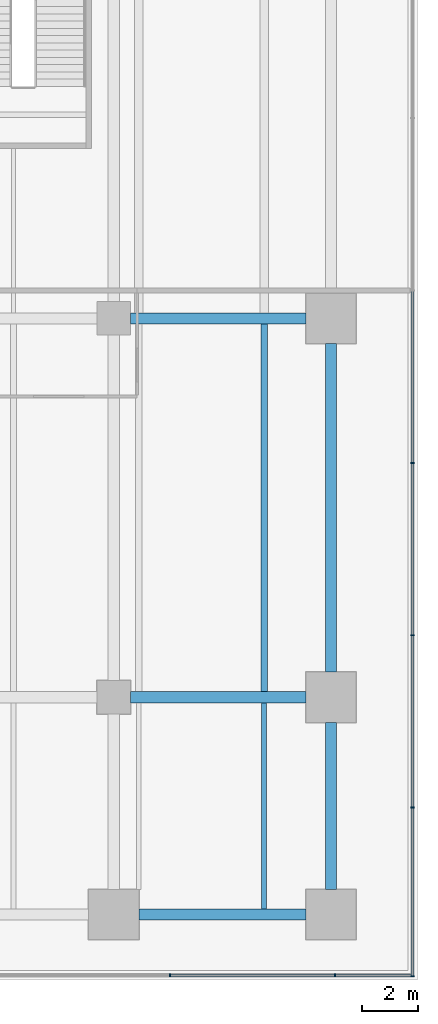
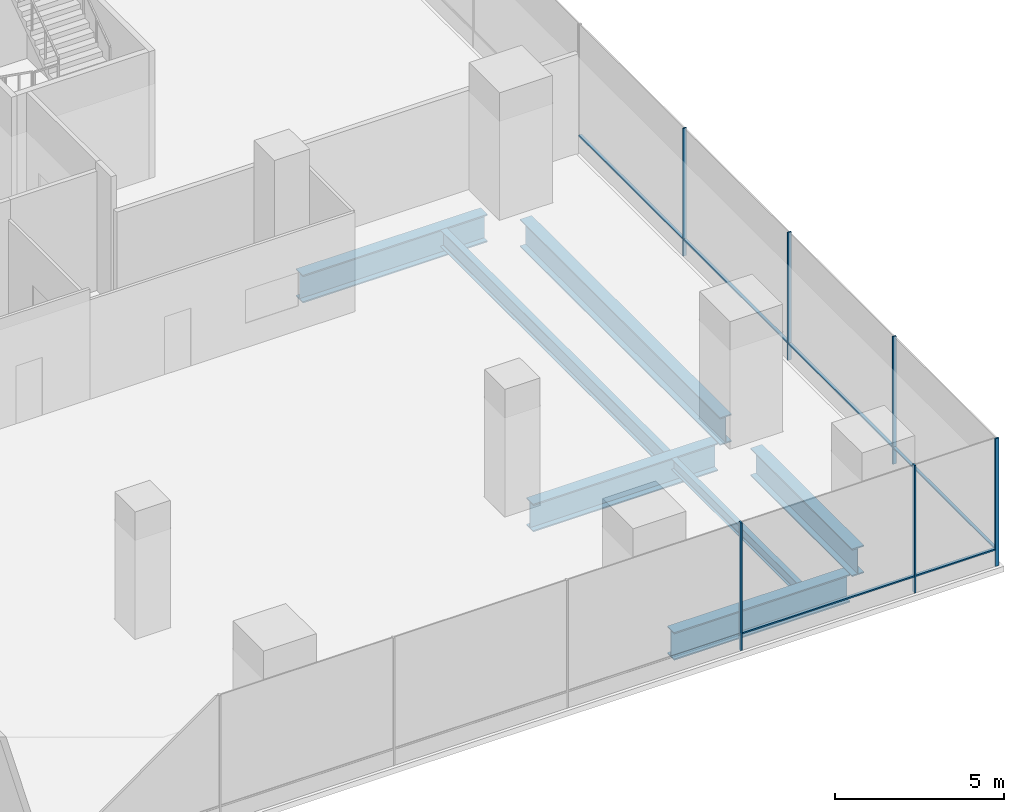
# One storey, part 15 of 29: 12 members, 7 beams, 2 elements without a shape of their own.
"""IFC4 building model written with IfcOpenShell, lengths in metres."""

import ifcopenshell
import ifcopenshell.guid

model = None  # the IFC model being written
_history = None  # IfcOwnerHistory: only IFC2X3 demands one
_inside = {}  # id of a spatial element -> (the spatial element, [elements in it])
_under = {}  # id of a project, library or spatial element -> (it, [spatial elements below it])
_declared = {}  # id of a project -> (the project, [libraries it declares])
_typed = {}  # id of a type object -> (the type object, [elements of that type])
_made_of = {}  # id of a material, layer set ... -> (it, [elements and type objects made of it])


def new_model(schema):
    """Start an empty IFC model of exactly this schema.

    Asked for "IFC4X3", IfcOpenShell would pick the latest addendum, in which some entities
    have other attributes; the version numbers below select the first issue.
    IFC2X3 requires an IfcOwnerHistory on every rooted entity: one is made here for all.
    """
    global model, _history
    if schema == "IFC4X3":
        model = ifcopenshell.file(schema_version=(4, 3, 0, 0))
    else:
        model = ifcopenshell.file(schema=schema)
    _inside.clear()
    _under.clear()
    _declared.clear()
    _typed.clear()
    _made_of.clear()
    _history = None
    if model.schema == "IFC2X3":
        org = make("IfcOrganization", Name="unknown")
        user = make(
            "IfcPersonAndOrganization",
            ThePerson=make("IfcPerson", FamilyName="unknown"),
            TheOrganization=org,
        )
        app = make(
            "IfcApplication",
            ApplicationDeveloper=org,
            Version="unknown",
            ApplicationFullName="unknown",
            ApplicationIdentifier="unknown",
        )
        _history = make(
            "IfcOwnerHistory",
            OwningUser=user,
            OwningApplication=app,
            ChangeAction="ADDED",
            CreationDate=0,
        )
    return model


def make(cls, **values):
    """One entity of the class cls with the attributes given. An attribute that is None is left unset."""
    return model.create_entity(
        cls, **{name: value for name, value in values.items() if value is not None}
    )


def rooted(cls, **values):
    """An entity with a GlobalId (a new one), such as an element, a storey or a relation."""
    return make(cls, GlobalId=ifcopenshell.guid.new(), OwnerHistory=_history, **values)


def si_unit(unit_type, name, prefix=None):
    """IfcSIUnit, for example si_unit("LENGTHUNIT", "METRE", prefix="MILLI")."""
    return make("IfcSIUnit", UnitType=unit_type, Prefix=prefix, Name=name)


def assignment(units):
    """IfcUnitAssignment: the units of a project."""
    return None if units is None else make("IfcUnitAssignment", Units=units)


def point(xyz):
    """IfcCartesianPoint."""
    return None if xyz is None else make("IfcCartesianPoint", Coordinates=xyz)


def direction(xyz):
    """IfcDirection."""
    return None if xyz is None else make("IfcDirection", DirectionRatios=xyz)


def frame(location, z_axis=None, x_axis=None):
    """IfcAxis2Placement3D, a coordinate frame: its origin and axes. An axis left out is left unset."""
    return make(
        "IfcAxis2Placement3D",
        Location=point(location),
        Axis=direction(z_axis),
        RefDirection=direction(x_axis),
    )


def frame_2d(location, x_axis=None):
    """IfcAxis2Placement2D, a coordinate frame in the plane: its origin and x axis."""
    return make(
        "IfcAxis2Placement2D", Location=point(location), RefDirection=direction(x_axis)
    )


def origin():
    """The frame at (0, 0, 0) with its axes left unset."""
    return frame((0.0, 0.0, 0.0))


def origin_2d():
    """The frame at (0, 0) in the plane with its x axis left unset."""
    return frame_2d((0.0, 0.0))


def place(relative_to, where):
    """IfcLocalPlacement: puts the frame where relative to a parent placement (None: the world)."""
    return make(
        "IfcLocalPlacement", PlacementRelTo=relative_to, RelativePlacement=where
    )


def context(
    kind, dimensions, precision=None, world=None, true_north=None, identifier=None
):
    """IfcGeometricRepresentationContext, for example the 3D "Model" context."""
    return make(
        "IfcGeometricRepresentationContext",
        ContextIdentifier=identifier,
        ContextType=kind,
        CoordinateSpaceDimension=dimensions,
        Precision=precision,
        WorldCoordinateSystem=world,
        TrueNorth=true_north,
    )


def subcontext(parent, identifier, kind, view, scale=None):
    """IfcGeometricRepresentationSubContext, for example "Body" below "Model"."""
    return make(
        "IfcGeometricRepresentationSubContext",
        ContextIdentifier=identifier,
        ContextType=kind,
        ParentContext=parent,
        TargetScale=scale,
        TargetView=view,
    )


def project(units=None, contexts=None):
    """IfcProject with its units and contexts."""
    return rooted(
        "IfcProject",
        Name="project",
        RepresentationContexts=contexts,
        UnitsInContext=assignment(units),
    )


def spatial(cls, under=None, at=None, **own):
    """A site, building, storey or space (cls), placed at a placement, below another one or the project."""
    s = rooted(cls, ObjectPlacement=at, **own)
    if under is not None:
        _under.setdefault(under.id(), (under, []))[1].append(s)
    return s


def profile(cls, at=None, kind="AREA", **sizes):
    """A parametric profile (cls). Its sizes go by their IFC names, for example OverallWidth=200.0."""
    return make(cls, ProfileType=kind, Position=at, **sizes)


def rectangle(**sizes):
    """IfcRectangleProfileDef."""
    return profile("IfcRectangleProfileDef", **sizes)


def i_section(**sizes):
    """IfcIShapeProfileDef."""
    return profile("IfcIShapeProfileDef", **sizes)


def extrude(swept, where, along, depth):
    """IfcExtrudedAreaSolid: the profile swept, set in the frame where, extruded along a direction by depth."""
    return make(
        "IfcExtrudedAreaSolid",
        SweptArea=swept,
        Position=where,
        ExtrudedDirection=direction(along),
        Depth=depth,
    )


def shape(context_of_items, identifier, shape_type, items):
    """IfcShapeRepresentation: the items that make up one representation, for example the "Body"."""
    return make(
        "IfcShapeRepresentation",
        ContextOfItems=context_of_items,
        RepresentationIdentifier=identifier,
        RepresentationType=shape_type,
        Items=items,
    )


def material(Name=None, Category=None):
    """IfcMaterial."""
    return make("IfcMaterial", Name=Name, Category=Category)


def layer(
    of_material, thickness, ventilated=None, Name=None, Category=None, Priority=None
):
    """IfcMaterialLayer: one layer of a wall or slab, of a material (None: an air gap)."""
    return make(
        "IfcMaterialLayer",
        Material=of_material,
        LayerThickness=thickness,
        IsVentilated=ventilated,
        Name=Name,
        Category=Category,
        Priority=Priority,
    )


def layer_set(layers, Name=None):
    """IfcMaterialLayerSet."""
    return make("IfcMaterialLayerSet", MaterialLayers=layers, LayerSetName=Name)


def material_profile(
    of_material, cross_section, Name=None, Category=None, Priority=None
):
    """IfcMaterialProfile: a cross section and its material."""
    return make(
        "IfcMaterialProfile",
        Name=Name,
        Material=of_material,
        Profile=cross_section,
        Priority=Priority,
        Category=Category,
    )


def profile_set(profiles, Name=None, composite=None):
    """IfcMaterialProfileSet."""
    return make(
        "IfcMaterialProfileSet",
        Name=Name,
        MaterialProfiles=profiles,
        CompositeProfile=composite,
    )


def made_of(thing, what):
    """Note that an element or type object is made of a material, layer set ...; save() writes the relation."""
    if what is not None:
        _made_of.setdefault(what.id(), (what, []))[1].append(thing)
    return thing


def type_object(cls, material=None, **own):
    """A type object (cls), such as IfcWallType, which elements share."""
    return made_of(rooted(cls, **own), material)


def element(
    cls,
    number,
    at=None,
    inside=None,
    cuts=None,
    type_object=None,
    material=None,
    context=None,
    identifier="Body",
    shape_type=None,
    held_by="IfcProductDefinitionShape",
    body=None,
    shapes=None,
    **own,
):
    """One element of the class cls, such as IfcWall. Its Tag is "e" and its number.

    at: its placement. inside: the storey or other place that contains it. cuts: it is an
    opening in that element (IfcRelVoidsElement). A single representation is given by context,
    identifier, shape_type and body (its items); several are given by shapes. held_by: the class
    of the entity that holds the representations. save() writes the other relations.
    """
    e = rooted(cls, Tag="e%d" % number, ObjectPlacement=at, **own)
    if body is not None:
        shapes = [shape(context, identifier, shape_type, body)]
    if shapes is not None:
        e.Representation = make(held_by, Representations=shapes)
    if inside is not None:
        _inside.setdefault(inside.id(), (inside, []))[1].append(e)
    if cuts is not None:
        rooted(
            "IfcRelVoidsElement", RelatingBuildingElement=cuts, RelatedOpeningElement=e
        )
    if type_object is not None:
        _typed.setdefault(type_object.id(), (type_object, []))[1].append(e)
    return made_of(e, material)


def aggregate(whole, parts):
    """IfcRelAggregates: a whole, such as a stair, and the parts it consists of."""
    return rooted("IfcRelAggregates", RelatingObject=whole, RelatedObjects=parts)


def save(model, path):
    """Write the relations noted so far, then the file.

    IfcRelAggregates (storeys below a building ...), IfcRelContainedInSpatialStructure (elements
    in a storey), IfcRelDefinesByType, IfcRelAssociatesMaterial and IfcRelDeclares: one each for
    every whole, place, type object, material and project.
    """
    for whole, parts in _under.values():
        aggregate(whole, parts)
    for where, things in _inside.values():
        rooted(
            "IfcRelContainedInSpatialStructure",
            RelatedElements=things,
            RelatingStructure=where,
        )
    for kind, things in _typed.values():
        rooted("IfcRelDefinesByType", RelatedObjects=things, RelatingType=kind)
    for what, things in _made_of.values():
        rooted("IfcRelAssociatesMaterial", RelatedObjects=things, RelatingMaterial=what)
    for by, libraries in _declared.values():
        rooted("IfcRelDeclares", RelatingContext=by, RelatedDefinitions=libraries)
    model.write(path)


model = new_model("IFC4")

# Units and contexts
model_context = context("Model", 3, precision=1e-05, world=origin(), true_north=direction((0.0, 1.0)))
body_context = subcontext(model_context, "Body", "Model", "MODEL_VIEW")
ifc_project = project(units=[si_unit("LENGTHUNIT", "METRE"), si_unit("AREAUNIT", "SQUARE_METRE"), si_unit("VOLUMEUNIT", "CUBIC_METRE"), si_unit("PLANEANGLEUNIT", "RADIAN"), si_unit("MASSUNIT", "GRAM", prefix="KILO")], contexts=[model_context])

# Site, building, storey
site_placement = place(None, origin())
site = spatial("IfcSite", under=ifc_project, at=site_placement, CompositionType="ELEMENT")
building_placement = place(site_placement, origin())
building = spatial("IfcBuilding", under=site, at=building_placement, Name="Rattan Terrace Tower", CompositionType="ELEMENT")
storey_placement = place(building_placement, frame((0.0, 0.0, 12.60009765625)))
storey = spatial("IfcBuildingStorey", under=building, at=storey_placement, Name="L02", CompositionType="ELEMENT", Elevation=12.60009765625)

# Beams
ifc_material_1 = material(Name="Steel S355", Category="steel")
ifc_material_profile_1 = material_profile(ifc_material_1, i_section(OverallWidth=0.179931640625, OverallDepth=0.39990234375, WebThickness=0.008544921875, FlangeThickness=0.013427734375, FilletRadius=0.02099609375, at=origin_2d()), Name="IPE 400")
ifc_profile_set_1 = profile_set([ifc_material_profile_1], Name="Steel S355")
beam_type_1 = type_object("IfcBeamType", Name="Frame floor beam IPE 400", PredefinedType="JOIST", material=ifc_profile_set_1)
beam_1_placement = place(storey_placement, frame((31.5, -34.699951171875, -0.400146484375), z_axis=(0.0, 1.0, 0.0), x_axis=(-1.0, 0.0, 0.0)))
element("IfcBeam", 1, at=beam_1_placement, inside=storey, type_object=beam_type_1, Name="bm-L02-012", PredefinedType="JOIST", context=body_context, shape_type="SweptSolid", body=[
    extrude(i_section(OverallWidth=0.179931640625, OverallDepth=0.39990234375, WebThickness=0.008544921875, FlangeThickness=0.013427734375, FilletRadius=0.02099609375, at=origin_2d()), origin(), (0.0, 0.0, 1.0), 7.39990234375),
])
ifc_material_2 = material(Name="Steel S355", Category="steel")
ifc_material_profile_2 = material_profile(ifc_material_2, i_section(OverallWidth=0.22412109375, OverallDepth=0.610107421875, WebThickness=0.014892578125, FlangeThickness=0.02392578125, FilletRadius=0.02392578125, at=origin_2d()), Name="IPE O 600")
ifc_profile_set_2 = profile_set([ifc_material_profile_2], Name="Steel S355")
beam_type_2 = type_object("IfcBeamType", Name="Frame floor beam IPE O 600", PredefinedType="JOIST", material=ifc_profile_set_2)
beam_2_placement = place(storey_placement, frame((31.5, -26.89990234375, -0.505126953125), z_axis=(0.0, 1.0, 0.0), x_axis=(-1.0, 0.0, 0.0)))
element("IfcBeam", 2, at=beam_2_placement, inside=storey, type_object=beam_type_2, Name="bm-L02-026", PredefinedType="JOIST", context=body_context, shape_type="SweptSolid", body=[
    extrude(i_section(OverallWidth=0.22412109375, OverallDepth=0.610107421875, WebThickness=0.014892578125, FlangeThickness=0.02392578125, FilletRadius=0.02392578125, at=origin_2d()), origin(), (0.0, 0.0, 1.0), 13.199951171875),
])
ifc_material_3 = material(Name="Steel S460", Category="steel")
ifc_material_profile_3 = material_profile(ifc_material_3, i_section(OverallWidth=0.39990234375, OverallDepth=1.0, WebThickness=0.01806640625, FlangeThickness=0.044921875, at=origin_2d()), Name="PG 1000x400-18-45")
ifc_profile_set_3 = profile_set([ifc_material_profile_3], Name="Steel S460")
beam_type_3 = type_object("IfcBeamType", Name="Frame podium girder PG 1000x400-18-45", PredefinedType="USERDEFINED", material=ifc_profile_set_3)
for number, where, z_axis, x_axis, name in (
    (3, (27.0, -34.89990234375, -0.7001953125), (1.0, 0.0, 0.0), (0.0, 1.0, 0.0), "gdr-L02-006"),
    (4, (33.89990234375, -34.0, -0.7001953125), (0.0, 1.0, 0.0), (-1.0, 0.0, 0.0), "gdr-L02-013"),
):
    element("IfcBeam", number, at=place(storey_placement, frame(where, z_axis=z_axis, x_axis=x_axis)), inside=storey, type_object=beam_type_3, Name=name, ObjectType="PODIUM GIRDER", PredefinedType="USERDEFINED", context=body_context, shape_type="SweptSolid", body=[
        extrude(i_section(OverallWidth=0.39990234375, OverallDepth=1.0, WebThickness=0.01806640625, FlangeThickness=0.044921875, at=origin_2d()), origin(), (0.0, 0.0, 1.0), 6.0),
    ])
beam_3_placement = place(storey_placement, frame((26.699951171875, -27.10009765625, -0.7001953125), z_axis=(1.0, 0.0, 0.0), x_axis=(0.0, 1.0, 0.0)))
element("IfcBeam", 5, at=beam_3_placement, inside=storey, type_object=beam_type_3, Name="gdr-L02-019", ObjectType="PODIUM GIRDER", PredefinedType="USERDEFINED", context=body_context, shape_type="SweptSolid", body=[
    extrude(i_section(OverallWidth=0.39990234375, OverallDepth=1.0, WebThickness=0.01806640625, FlangeThickness=0.044921875, at=origin_2d()), origin(), (0.0, 0.0, 1.0), 6.300048828125),
])
beam_4_placement = place(storey_placement, frame((33.89990234375, -26.199951171875, -0.7001953125), z_axis=(0.0, 1.0, 0.0), x_axis=(-1.0, 0.0, 0.0)))
element("IfcBeam", 6, at=beam_4_placement, inside=storey, type_object=beam_type_3, Name="gdr-L02-026", ObjectType="PODIUM GIRDER", PredefinedType="USERDEFINED", context=body_context, shape_type="SweptSolid", body=[
    extrude(i_section(OverallWidth=0.39990234375, OverallDepth=1.0, WebThickness=0.01806640625, FlangeThickness=0.044921875, at=origin_2d()), origin(), (0.0, 0.0, 1.0), 11.800048828125),
])
beam_5_placement = place(storey_placement, frame((26.699951171875, -13.5, -0.7001953125), z_axis=(1.0, 0.0, 0.0), x_axis=(0.0, 1.0, 0.0)))
element("IfcBeam", 7, at=beam_5_placement, inside=storey, type_object=beam_type_3, Name="gdr-L02-032", ObjectType="PODIUM GIRDER", PredefinedType="USERDEFINED", context=body_context, shape_type="SweptSolid", body=[
    extrude(i_section(OverallWidth=0.39990234375, OverallDepth=1.0, WebThickness=0.01806640625, FlangeThickness=0.044921875, at=origin_2d()), origin(), (0.0, 0.0, 1.0), 6.300048828125),
])

# Curtain wall, members
ifc_material_4 = material(Name="Aluminium and glass", Category="aluminium")
ifc_layer = layer(ifc_material_4, 0.1201171875)
ifc_layer_set = layer_set([ifc_layer], Name="Station Storefront Curtain Wall")
curtain_wall_type = type_object("IfcCurtainWallType", Name="Station Storefront Curtain Wall", PredefinedType="NOTDEFINED", material=ifc_layer_set)
curtain_wall_1_placement = place(storey_placement, origin())
curtain_wall_1 = element("IfcCurtainWall", 8, at=curtain_wall_1_placement, inside=storey, type_object=curtain_wall_type, Name="Storefront curtain wall L02-1", PredefinedType="NOTDEFINED")
ifc_material_5 = material(Name="Aluminium", Category="aluminium")
ifc_material_profile_4 = material_profile(ifc_material_5, rectangle(XDim=0.050048828125, YDim=0.1201171875, at=origin_2d()), Name="Aluminium 50x120")
ifc_profile_set_4 = profile_set([ifc_material_profile_4], Name="Aluminium")
member_type_1 = type_object("IfcMemberType", Name="Storefront CW Mullion 50x120", PredefinedType="MULLION", material=ifc_profile_set_4)
member_1_placement = place(storey_placement, frame((36.830078125, -37.114990234375, 0.0), z_axis=(0.0, 0.0, 1.0), x_axis=(0.0, 1.0, 0.0)))
member_1 = element("IfcMember", 9, at=member_1_placement, type_object=member_type_1, Name="Mullion cwl-L02-001.1", PredefinedType="MULLION", context=body_context, shape_type="SweptSolid", body=[
    extrude(rectangle(XDim=0.050048828125, YDim=0.1201171875, at=origin_2d()), origin(), (0.0, 0.0, 1.0), 4.599853515625),
])
member_2_placement = place(storey_placement, frame((36.830078125, -31.06201171875, 0.0), z_axis=(0.0, 0.0, 1.0), x_axis=(0.0, 1.0, 0.0)))
member_2 = element("IfcMember", 10, at=member_2_placement, type_object=member_type_1, Name="Mullion cwl-L02-001.2", PredefinedType="MULLION", context=body_context, shape_type="SweptSolid", body=[
    extrude(rectangle(XDim=0.050048828125, YDim=0.1201171875, at=origin_2d()), origin(), (0.0, 0.0, 1.0), 4.599853515625),
])
member_3_placement = place(storey_placement, frame((36.830078125, -24.8740234375, 0.0), z_axis=(0.0, 0.0, 1.0), x_axis=(0.0, 1.0, 0.0)))
member_3 = element("IfcMember", 11, at=member_3_placement, type_object=member_type_1, Name="Mullion cwl-L02-001.3", PredefinedType="MULLION", context=body_context, shape_type="SweptSolid", body=[
    extrude(rectangle(XDim=0.050048828125, YDim=0.1201171875, at=origin_2d()), origin(), (0.0, 0.0, 1.0), 4.599853515625),
])
member_4_placement = place(storey_placement, frame((36.830078125, -18.68603515625, 0.0), z_axis=(0.0, 0.0, 1.0), x_axis=(0.0, 1.0, 0.0)))
member_4 = element("IfcMember", 12, at=member_4_placement, type_object=member_type_1, Name="Mullion cwl-L02-001.4", PredefinedType="MULLION", context=body_context, shape_type="SweptSolid", body=[
    extrude(rectangle(XDim=0.050048828125, YDim=0.1201171875, at=origin_2d()), origin(), (0.0, 0.0, 1.0), 4.599853515625),
])

curtain_wall_2_placement = place(storey_placement, origin())
curtain_wall_2 = element("IfcCurtainWall", 13, at=curtain_wall_2_placement, inside=storey, type_object=curtain_wall_type, Name="Storefront curtain wall L02-4", PredefinedType="NOTDEFINED")
member_5_placement = place(storey_placement, frame((28.1201171875, -37.080078125, 0.0), z_axis=(0.0, 0.0, 1.0), x_axis=(1.0, 0.0, 0.0)))
member_5 = element("IfcMember", 14, at=member_5_placement, type_object=member_type_1, Name="Mullion cwl-L02-004.12", PredefinedType="MULLION", context=body_context, shape_type="SweptSolid", body=[
    extrude(rectangle(XDim=0.050048828125, YDim=0.1201171875, at=origin_2d()), origin(), (0.0, 0.0, 1.0), 4.599853515625),
])
member_6_placement = place(storey_placement, frame((34.0400390625, -37.080078125, 0.0), z_axis=(0.0, 0.0, 1.0), x_axis=(1.0, 0.0, 0.0)))
member_6 = element("IfcMember", 15, at=member_6_placement, type_object=member_type_1, Name="Mullion cwl-L02-004.13", PredefinedType="MULLION", context=body_context, shape_type="SweptSolid", body=[
    extrude(rectangle(XDim=0.050048828125, YDim=0.1201171875, at=origin_2d()), origin(), (0.0, 0.0, 1.0), 4.599853515625),
])

# Member
ifc_material_6 = material(Name="Aluminium", Category="aluminium")
ifc_material_profile_5 = material_profile(ifc_material_6, rectangle(XDim=0.10009765625, YDim=0.050048828125, at=origin_2d()), Name="Aluminium 100x50")
ifc_profile_set_5 = profile_set([ifc_material_profile_5], Name="Aluminium")
member_type_2 = type_object("IfcMemberType", Name="Storefront CW Transom 100x50", PredefinedType="USERDEFINED", material=ifc_profile_set_5)
member_7_placement = place(storey_placement, frame((36.830078125, -37.090087890625, 0.599853515625), z_axis=(0.0, 1.0, 0.0), x_axis=(-1.0, 0.0, 0.0)))
member_7 = element("IfcMember", 16, at=member_7_placement, type_object=member_type_2, Name="Transom cwl-L02-001.1", ObjectType="TRANSOM", PredefinedType="USERDEFINED", context=body_context, shape_type="SweptSolid", body=[
    extrude(rectangle(XDim=0.10009765625, YDim=0.050048828125, at=origin_2d()), origin(), (0.0, 0.0, 1.0), 6.003173828125),
])

member_8_placement = place(storey_placement, frame((36.830078125, -31.037109375, 0.599853515625), z_axis=(0.0, 1.0, 0.0), x_axis=(-1.0, 0.0, 0.0)))
member_8 = element("IfcMember", 17, at=member_8_placement, type_object=member_type_2, Name="Transom cwl-L02-001.2", ObjectType="TRANSOM", PredefinedType="USERDEFINED", context=body_context, shape_type="SweptSolid", body=[
    extrude(rectangle(XDim=0.10009765625, YDim=0.050048828125, at=origin_2d()), origin(), (0.0, 0.0, 1.0), 6.13818359375),
])

member_9_placement = place(storey_placement, frame((36.830078125, -24.84912109375, 0.599853515625), z_axis=(0.0, 1.0, 0.0), x_axis=(-1.0, 0.0, 0.0)))
member_9 = element("IfcMember", 18, at=member_9_placement, type_object=member_type_2, Name="Transom cwl-L02-001.3", ObjectType="TRANSOM", PredefinedType="USERDEFINED", context=body_context, shape_type="SweptSolid", body=[
    extrude(rectangle(XDim=0.10009765625, YDim=0.050048828125, at=origin_2d()), origin(), (0.0, 0.0, 1.0), 6.13818359375),
])

member_10_placement = place(storey_placement, frame((36.830078125, -18.660888671875, 0.599853515625), z_axis=(0.0, 1.0, 0.0), x_axis=(-1.0, 0.0, 0.0)))
member_10 = element("IfcMember", 19, at=member_10_placement, type_object=member_type_2, Name="Transom cwl-L02-001.4", ObjectType="TRANSOM", PredefinedType="USERDEFINED", context=body_context, shape_type="SweptSolid", body=[
    extrude(rectangle(XDim=0.10009765625, YDim=0.050048828125, at=origin_2d()), origin(), (0.0, 0.0, 1.0), 6.137939453125),
])

aggregate(curtain_wall_1, [member_1, member_2, member_3, member_4, member_7, member_8, member_9, member_10])

member_11_placement = place(storey_placement, frame((28.14501953125, -37.080078125, 0.599853515625), z_axis=(1.0, 0.0, 0.0), x_axis=(0.0, 1.0, 0.0)))
member_11 = element("IfcMember", 20, at=member_11_placement, type_object=member_type_2, Name="Transom cwl-L02-004.12", ObjectType="TRANSOM", PredefinedType="USERDEFINED", context=body_context, shape_type="SweptSolid", body=[
    extrude(rectangle(XDim=0.10009765625, YDim=0.050048828125, at=origin_2d()), origin(), (0.0, 0.0, 1.0), 5.869873046875),
])

member_12_placement = place(storey_placement, frame((34.06494140625, -37.080078125, 0.599853515625), z_axis=(1.0, 0.0, 0.0), x_axis=(0.0, 1.0, 0.0)))
member_12 = element("IfcMember", 21, at=member_12_placement, type_object=member_type_2, Name="Transom cwl-L02-004.13", ObjectType="TRANSOM", PredefinedType="USERDEFINED", context=body_context, shape_type="SweptSolid", body=[
    extrude(rectangle(XDim=0.10009765625, YDim=0.050048828125, at=origin_2d()), origin(), (0.0, 0.0, 1.0), 2.705078125),
])

aggregate(curtain_wall_2, [member_5, member_6, member_11, member_12])

save(model, "model.ifc")
